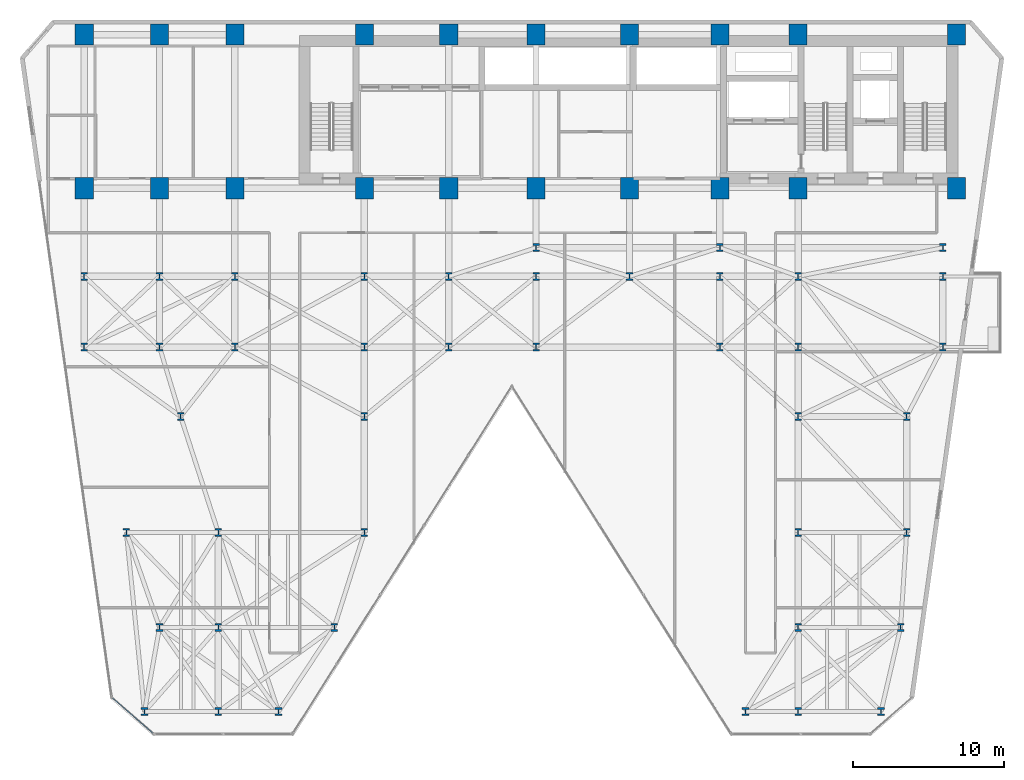
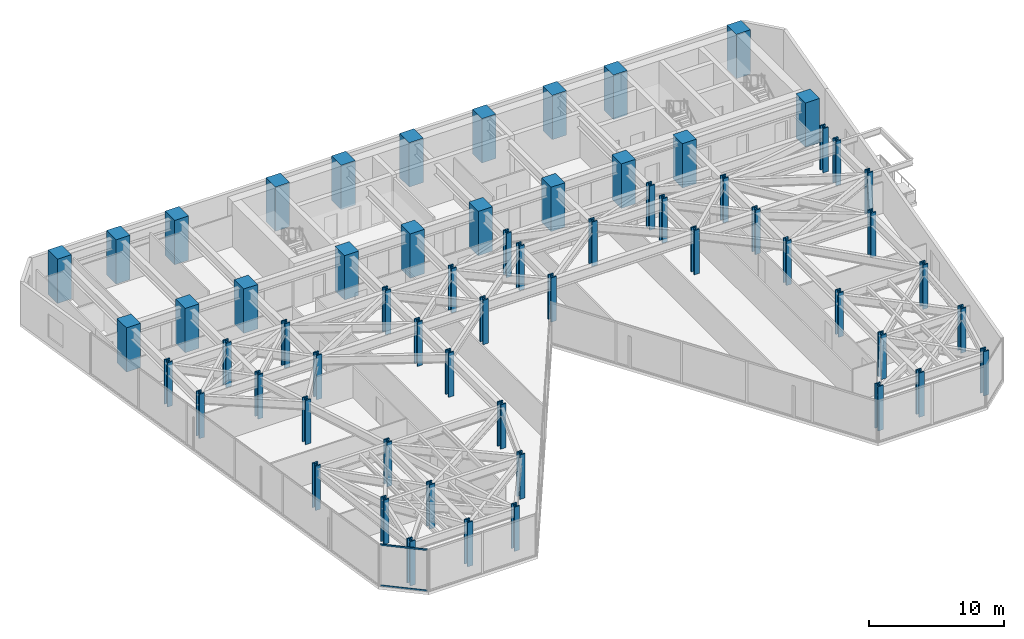
# One storey, part 1 of 24: 62 columns, 2 members, 1 element without a shape of its own.
"""IFC4 building model written with IfcOpenShell, lengths in metres."""

from ifc_helpers import new_model, si_unit, direction, frame, origin, origin_2d, place, context, subcontext, project, spatial, rectangle, hollow_rectangle, i_section, extrude, material, layer, layer_set, material_profile, profile_set, type_object, element, aggregate, save


model = new_model("IFC4")

# Units and contexts
model_context = context("Model", 3, precision=1e-05, world=origin(), true_north=direction((0.0, 1.0)))
body_context = subcontext(model_context, "Body", "Model", "MODEL_VIEW")
ifc_project = project(units=[si_unit("LENGTHUNIT", "METRE"), si_unit("AREAUNIT", "SQUARE_METRE"), si_unit("VOLUMEUNIT", "CUBIC_METRE"), si_unit("PLANEANGLEUNIT", "RADIAN"), si_unit("MASSUNIT", "GRAM", prefix="KILO")], contexts=[model_context])

# Site, building, storey
site_placement = place(None, origin())
site = spatial("IfcSite", under=ifc_project, at=site_placement, CompositionType="ELEMENT")
building_placement = place(site_placement, origin())
building = spatial("IfcBuilding", under=site, at=building_placement, Name="Kravanh Interchange Tower", CompositionType="ELEMENT")
storey_placement = place(building_placement, frame((0.0, 0.0, 53.5)))
storey = spatial("IfcBuildingStorey", under=building, at=storey_placement, Name="L12", CompositionType="ELEMENT", Elevation=53.5)

# Columns
ifc_material_1 = material(Name="Concrete C80/95", Category="concrete")
ifc_material_profile_1 = material_profile(ifc_material_1, rectangle(XDim=1.199951171875, YDim=1.39990234375, at=origin_2d()), Name="RC1200X1400")
ifc_profile_set_1 = profile_set([ifc_material_profile_1], Name="Concrete C80/95")
column_type_1 = type_object("IfcColumnType", Name="Column RC1200X1400 Concrete C80/95", PredefinedType="COLUMN", material=ifc_profile_set_1)
for number, where, z_axis, x_axis, name in (
    (1, (66.5, 47.550048828125, 0.0), (0.0, 0.0, 1.0), (1.0, 0.0, 0.0), "L12 Column CS01"),
    (2, (56.0, 47.550048828125, 0.0), (0.0, 0.0, 1.0), (1.0, 0.0, 0.0), "L12 Column CS02"),
    (3, (66.5, 37.35009765625, 0.0), (0.0, 0.0, 1.0), (1.0, 0.0, 0.0), "L12 Column CS03"),
    (4, (56.0, 37.35009765625, 0.0), (0.0, 0.0, 1.0), (1.0, 0.0, 0.0), "L12 Column CS04"),
    (5, (50.800048828125, 47.550048828125, 0.0), (0.0, 0.0, 1.0), (1.0, 0.0, 0.0), "L12 Column CS05"),
    (6, (50.800048828125, 37.35009765625, 0.0), (0.0, 0.0, 1.0), (1.0, 0.0, 0.0), "L12 Column CS06"),
    (7, (44.800048828125, 37.35009765625, 0.0), (0.0, 0.0, 1.0), (1.0, 0.0, 0.0), "L12 Column CS07"),
    (8, (44.800048828125, 47.550048828125, 0.0), (0.0, 0.0, 1.0), (1.0, 0.0, 0.0), "L12 Column CS08"),
    (9, (38.60009765625, 37.35009765625, 0.0), (0.0, 0.0, 1.0), (1.0, 0.0, 0.0), "L12 Column CS09"),
    (10, (38.60009765625, 47.550048828125, 0.0), (0.0, 0.0, 1.0), (1.0, 0.0, 0.0), "L12 Column CS10"),
    (11, (32.800048828125, 37.35009765625, 0.0), (0.0, 0.0, 1.0), (1.0, 0.0, 0.0), "L12 Column CS11"),
    (12, (32.800048828125, 47.550048828125, 0.0), (0.0, 0.0, 1.0), (1.0, 0.0, 0.0), "L12 Column CS12"),
    (13, (27.199951171875, 37.35009765625, 0.0), (0.0, 0.0, 1.0), (1.0, 0.0, 0.0), "L12 Column CS13"),
    (14, (27.199951171875, 47.550048828125, 0.0), (0.0, 0.0, 1.0), (1.0, 0.0, 0.0), "L12 Column CS14"),
    (15, (18.60009765625, 37.35009765625, 0.0), (0.0, 0.0, 1.0), (1.0, 0.0, 0.0), "L12 Column CS17"),
    (16, (18.60009765625, 47.550048828125, 0.0), (0.0, 0.0, 1.0), (1.0, 0.0, 0.0), "L12 Column CS18"),
    (17, (13.60009765625, 37.35009765625, 0.0), (0.0, 0.0, 1.0), (1.0, 0.0, 0.0), "L12 Column CS19"),
    (18, (13.60009765625, 47.550048828125, 0.0), (0.0, 0.0, 1.0), (1.0, 0.0, 0.0), "L12 Column CS20"),
    (19, (8.60009765625, 37.35009765625, 0.0), (0.0, 0.0, 1.0), (1.0, 0.0, 0.0), "L12 Column CS21"),
    (20, (8.60009765625, 47.550048828125, 0.0), (0.0, 0.0, 1.0), (1.0, 0.0, 0.0), "L12 Column CS22"),
):
    element("IfcColumn", number, at=place(storey_placement, frame(where, z_axis=z_axis, x_axis=x_axis)), inside=storey, type_object=column_type_1, Name=name, PredefinedType="COLUMN", context=body_context, shape_type="SweptSolid", body=[
        extrude(rectangle(XDim=1.199951171875, YDim=1.39990234375, at=origin_2d()), origin(), (0.0, 0.0, 1.0), 4.0),
    ])
ifc_material_2 = material(Name="Structural Steel S450", Category="steel")
ifc_material_profile_2 = material_profile(ifc_material_2, i_section(OverallWidth=0.44189453125, OverallDepth=0.531005859375, WebThickness=0.06591796875, FlangeThickness=0.105712890625, FilletRadius=0.030029296875, at=origin_2d()), Name="W14X605")
ifc_profile_set_2 = profile_set([ifc_material_profile_2], Name="Structural Steel S450")
column_type_2 = type_object("IfcColumnType", Name="Column W14X605 Structural Steel S450", PredefinedType="COLUMN", material=ifc_profile_set_2)
for number, where, z_axis, x_axis, name in (
    (21, (12.60009765625, 2.60009765625, 0.0), (0.0, 0.0, 1.0), (1.0, 0.0, 0.0), "L12 Column CZ1_1"),
    (22, (56.0, 14.5, 0.0), (0.0, 0.0, 1.0), (1.0, 0.0, 0.0), "L12 Column CZ1_10"),
    (23, (63.199951171875, 14.5, 0.0), (0.0, 0.0, 1.0), (1.0, 0.0, 0.0), "L12 Column CZ1_11"),
    (24, (15.0, 22.199951171875, 0.0), (0.0, 0.0, 1.0), (1.0, 0.0, 0.0), "L12 Column CZ1_11B"),
    (25, (27.199951171875, 22.199951171875, 0.0), (0.0, 0.0, 1.0), (1.0, 0.0, 0.0), "L12 Column CZ1_11C"),
    (26, (56.0, 22.199951171875, 0.0), (0.0, 0.0, 1.0), (1.0, 0.0, 0.0), "L12 Column CZ1_11D"),
    (27, (63.199951171875, 22.199951171875, 0.0), (0.0, 0.0, 1.0), (1.0, 0.0, 0.0), "L12 Column CZ1_11E"),
    (28, (8.60009765625, 26.800048828125, 0.0), (0.0, 0.0, 1.0), (1.0, 0.0, 0.0), "L12 Column CZ1_12"),
    (29, (13.60009765625, 26.800048828125, 0.0), (0.0, 0.0, 1.0), (1.0, 0.0, 0.0), "L12 Column CZ1_13"),
    (30, (18.60009765625, 26.800048828125, 0.0), (0.0, 0.0, 1.0), (1.0, 0.0, 0.0), "L12 Column CZ1_14"),
    (31, (27.199951171875, 26.800048828125, 0.0), (0.0, 0.0, 1.0), (1.0, 0.0, 0.0), "L12 Column CZ1_15"),
    (32, (32.800048828125, 26.800048828125, 0.0), (0.0, 0.0, 1.0), (1.0, 0.0, 0.0), "L12 Column CZ1_16"),
    (33, (38.60009765625, 26.800048828125, 0.0), (0.0, 0.0, 1.0), (1.0, 0.0, 0.0), "L12 Column CZ1_16B"),
    (34, (50.800048828125, 26.800048828125, 0.0), (0.0, 0.0, 1.0), (1.0, 0.0, 0.0), "L12 Column CZ1_17"),
    (35, (56.0, 26.800048828125, 0.0), (0.0, 0.0, 1.0), (1.0, 0.0, 0.0), "L12 Column CZ1_18"),
    (36, (65.60009765625, 26.800048828125, 0.0), (0.0, 0.0, 1.0), (1.0, 0.0, 0.0), "L12 Column CZ1_19"),
    (37, (8.60009765625, 31.5, 0.0), (0.0, 0.0, 1.0), (1.0, 0.0, 0.0), "L12 Column CZ1_19B"),
    (38, (13.60009765625, 31.5, 0.0), (0.0, 0.0, 1.0), (1.0, 0.0, 0.0), "L12 Column CZ1_19C"),
    (39, (17.5, 2.60009765625, 0.0), (0.0, 0.0, 1.0), (1.0, 0.0, 0.0), "L12 Column CZ1_2"),
    (40, (18.60009765625, 31.5, 0.0), (0.0, 0.0, 1.0), (1.0, 0.0, 0.0), "L12 Column CZ1_20"),
    (41, (27.199951171875, 31.5, 0.0), (0.0, 0.0, 1.0), (1.0, 0.0, 0.0), "L12 Column CZ1_21"),
    (42, (32.800048828125, 31.5, 0.0), (0.0, 0.0, 1.0), (1.0, 0.0, 0.0), "L12 Column CZ1_22"),
    (43, (38.60009765625, 31.5, 0.0), (0.0, 0.0, 1.0), (1.0, 0.0, 0.0), "L12 Column CZ1_23"),
    (44, (44.800048828125, 31.5, 0.0), (0.0, 0.0, 1.0), (1.0, 0.0, 0.0), "L12 Column CZ1_24"),
    (45, (50.800048828125, 31.5, 0.0), (0.0, 0.0, 1.0), (1.0, 0.0, 0.0), "L12 Column CZ1_25"),
    (46, (56.0, 31.5, 0.0), (0.0, 0.0, 1.0), (1.0, 0.0, 0.0), "L12 Column CZ1_26"),
    (47, (65.60009765625, 31.5, 0.0), (0.0, 0.0, 1.0), (1.0, 0.0, 0.0), "L12 Column CZ1_27"),
    (48, (21.5, 2.60009765625, 0.0), (0.0, 0.0, 1.0), (1.0, 0.0, 0.0), "L12 Column CZ1_3"),
    (49, (52.5, 2.60009765625, 0.0), (0.0, 0.0, 1.0), (1.0, 0.0, 0.0), "L12 Column CZ1_4"),
    (50, (56.0, 2.60009765625, 0.0), (0.0, 0.0, 1.0), (1.0, 0.0, 0.0), "L12 Column CZ1_5"),
    (51, (61.5, 2.60009765625, 0.0), (0.0, 0.0, 1.0), (1.0, 0.0, 0.0), "L12 Column CZ1_5B"),
    (52, (13.60009765625, 8.199951171875, 0.0), (0.0, 0.0, 1.0), (1.0, 0.0, 0.0), "L12 Column CZ1_6"),
    (53, (17.5, 8.199951171875, 0.0), (0.0, 0.0, 1.0), (1.0, 0.0, 0.0), "L12 Column CZ1_6B"),
    (54, (25.199951171875, 8.199951171875, 0.0), (0.0, 0.0, 1.0), (1.0, 0.0, 0.0), "L12 Column CZ1_6C"),
    (55, (56.0, 8.199951171875, 0.0), (0.0, 0.0, 1.0), (1.0, 0.0, 0.0), "L12 Column CZ1_6D"),
    (56, (62.800048828125, 8.199951171875, 0.0), (0.0, 0.0, 1.0), (1.0, 0.0, 0.0), "L12 Column CZ1_6E"),
    (57, (11.39990234375, 14.5, 0.0), (0.0, 0.0, 1.0), (1.0, 0.0, 0.0), "L12 Column CZ1_7"),
    (58, (17.5, 14.5, 0.0), (0.0, 0.0, 1.0), (1.0, 0.0, 0.0), "L12 Column CZ1_7B"),
    (59, (27.199951171875, 14.5, 0.0), (0.0, 0.0, 1.0), (1.0, 0.0, 0.0), "L12 Column CZ1_8"),
    (60, (38.60009765625, 33.39990234375, 0.0), (0.0, 0.0, 1.0), (1.0, 0.0, 0.0), "L12 Column CZ1_M1"),
    (61, (50.800048828125, 33.39990234375, 0.0), (0.0, 0.0, 1.0), (1.0, 0.0, 0.0), "L12 Column CZ1_M2"),
    (62, (65.60009765625, 33.39990234375, 0.0), (0.0, 0.0, 1.0), (1.0, 0.0, 0.0), "L12 Column CZ1_M3"),
):
    element("IfcColumn", number, at=place(storey_placement, frame(where, z_axis=z_axis, x_axis=x_axis)), inside=storey, type_object=column_type_2, Name=name, PredefinedType="COLUMN", context=body_context, shape_type="SweptSolid", body=[
        extrude(i_section(OverallWidth=0.44189453125, OverallDepth=0.531005859375, WebThickness=0.06591796875, FlangeThickness=0.105712890625, FilletRadius=0.030029296875, at=origin_2d()), origin(), (0.0, 0.0, 1.0), 4.0),
    ])

# Curtain wall, members
ifc_material_3 = material(Name="Anodised Bronze Aluminium", Category="aluminium")
ifc_layer = layer(ifc_material_3, 0.179931640625)
ifc_layer_set = layer_set([ifc_layer], Name="Unitised Curtain Wall System CW-Z1 Lower Office")
curtain_wall_type = type_object("IfcCurtainWallType", Name="Unitised Curtain Wall System CW-Z1 Lower Office", PredefinedType="NOTDEFINED", material=ifc_layer_set)
curtain_wall_placement = place(storey_placement, origin())
curtain_wall = element("IfcCurtainWall", 63, at=curtain_wall_placement, inside=storey, type_object=curtain_wall_type, Name="L12 Unitised Curtain Wall CW-L12-07", PredefinedType="NOTDEFINED")
ifc_material_4 = material(Name="Anodised Bronze Aluminium", Category="aluminium")
ifc_material_profile_3 = material_profile(ifc_material_4, hollow_rectangle(XDim=0.06005859375, YDim=0.139892578125, WallThickness=0.00390625, at=origin_2d()), Name="ALU60X140X4")
ifc_profile_set_3 = profile_set([ifc_material_profile_3], Name="Anodised Bronze Aluminium")
member_type = type_object("IfcMemberType", Name="Curtain Wall Transom ALU60X140X4 Bronze", PredefinedType="USERDEFINED", material=ifc_profile_set_3)
member_1_placement = place(storey_placement, frame((13.167724609375, 1.166015625, 0.030029296875), z_axis=(-0.754710815466, 0.656057608004, 0.0), x_axis=(-0.656057608004, -0.754710815466, 0.0)))
member_1 = element("IfcMember", 64, at=member_1_placement, type_object=member_type, Name="CW-Z1 transom 1.1", ObjectType="TRANSOM", PredefinedType="USERDEFINED", context=body_context, shape_type="SweptSolid", body=[
    extrude(hollow_rectangle(XDim=0.06005859375, YDim=0.139892578125, WallThickness=0.00390625, at=origin_2d()), origin(), (0.0, 0.0, 1.0), 3.543701171875),
])
member_2_placement = place(storey_placement, frame((13.167724609375, 1.166015625, 3.7099609375), z_axis=(-0.754710815466, 0.656057608004, 0.0), x_axis=(-0.656057608004, -0.754710815466, 0.0)))
member_2 = element("IfcMember", 65, at=member_2_placement, type_object=member_type, Name="CW-Z1 transom 1.2", ObjectType="TRANSOM", PredefinedType="USERDEFINED", context=body_context, shape_type="SweptSolid", body=[
    extrude(hollow_rectangle(XDim=0.06005859375, YDim=0.139892578125, WallThickness=0.00390625, at=origin_2d()), origin(), (0.0, 0.0, 1.0), 3.543701171875),
])
aggregate(curtain_wall, [member_1, member_2])

save(model, "model.ifc")
